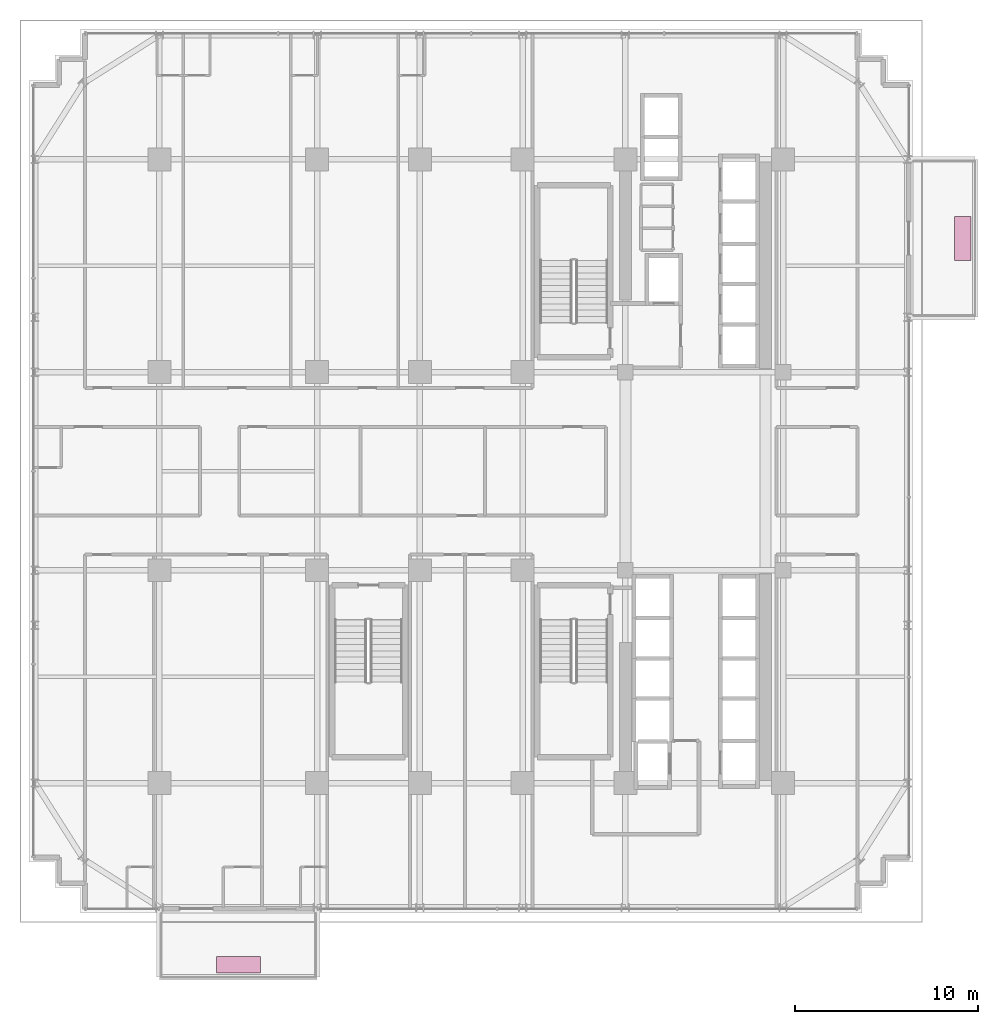
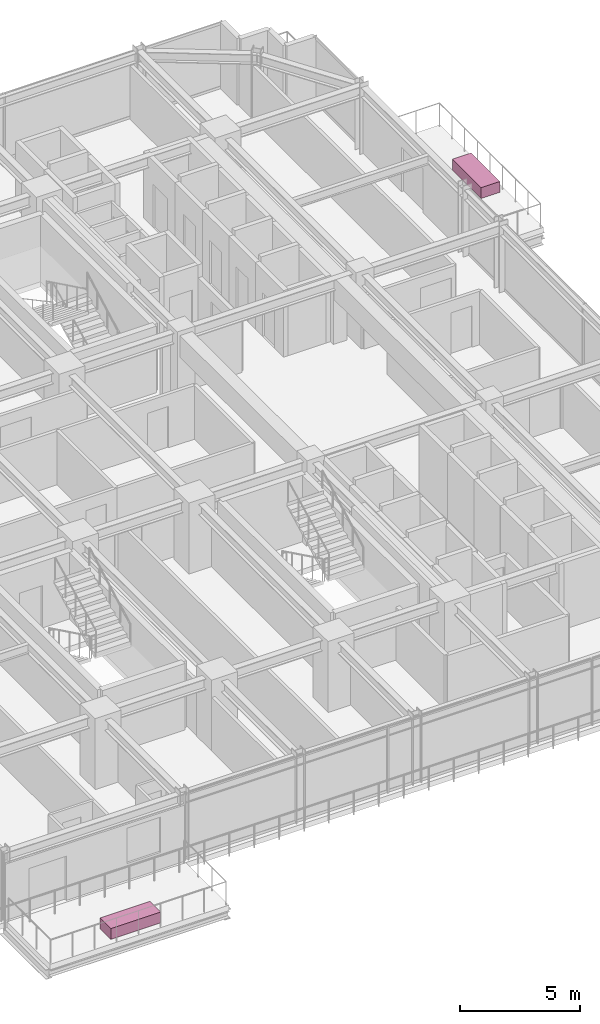
# One storey, part 34 of 34: 2 furnishings.
"""IFC4 building model written with IfcOpenShell, lengths in metres."""

from ifc_helpers import new_model, si_unit, direction, frame, origin, origin_2d, place, context, subcontext, project, spatial, rectangle, extrude, source, transform, mapped, material, type_object, element, save


model = new_model("IFC4")

# Units and contexts
model_context = context("Model", 3, precision=1e-05, world=origin(), true_north=direction((0.0, 1.0)))
body_context = subcontext(model_context, "Body", "Model", "MODEL_VIEW")
ifc_project = project(units=[si_unit("LENGTHUNIT", "METRE"), si_unit("AREAUNIT", "SQUARE_METRE"), si_unit("VOLUMEUNIT", "CUBIC_METRE"), si_unit("PLANEANGLEUNIT", "RADIAN"), si_unit("MASSUNIT", "GRAM", prefix="KILO")], contexts=[model_context])

# Site, building, storey
site_placement = place(None, origin())
site = spatial("IfcSite", under=ifc_project, at=site_placement, CompositionType="ELEMENT")
building_placement = place(site_placement, origin())
building = spatial("IfcBuilding", under=site, at=building_placement, Name="Nahalor Promenade Grand Hotel", CompositionType="ELEMENT")
storey_placement = place(building_placement, frame((0.0, 0.0, 88.300048828125)))
storey = spatial("IfcBuildingStorey", under=building, at=storey_placement, Name="L21", CompositionType="ELEMENT", Elevation=88.300048828125)

# Furnishings
ifc_material = material(Name="Vegetated Volcanic-Lapilli Tree Planter", Category="earth")
furnishing_element_type = type_object("IfcFurnishingElementType", Name="Planter-VerticalForest-Box", material=ifc_material)
shared_shape = source(origin(), body_context, "Body", "SweptSolid", [
    extrude(rectangle(XDim=2.39990234375, YDim=0.89990234375, at=origin_2d()), origin(), (0.0, 0.0, 1.0), 0.550048828125),
])
for number, where, z_axis, x_axis, name in (
    (1, (-12.699951171875, -26.919921875, 0.0), (0.0, 0.0, 1.0), (1.0, 0.0, 0.0), "L21 Balcony Structural Tree Planter 1"),
    (2, (26.800048828125, 12.699951171875, 0.0), (0.0, 0.0, 1.0), (0.0, 1.0, 0.0), "L21 Balcony Structural Tree Planter 2"),
):
    element("IfcFurnishingElement", number, at=place(storey_placement, frame(where, z_axis=z_axis, x_axis=x_axis)), inside=storey, type_object=furnishing_element_type, Name=name, ObjectType="PLANTER", context=body_context, shape_type="MappedRepresentation", body=[
        mapped(shared_shape, transform((0.0, 0.0, 0.0), scale=1.0)),
    ])

save(model, "model.ifc")
